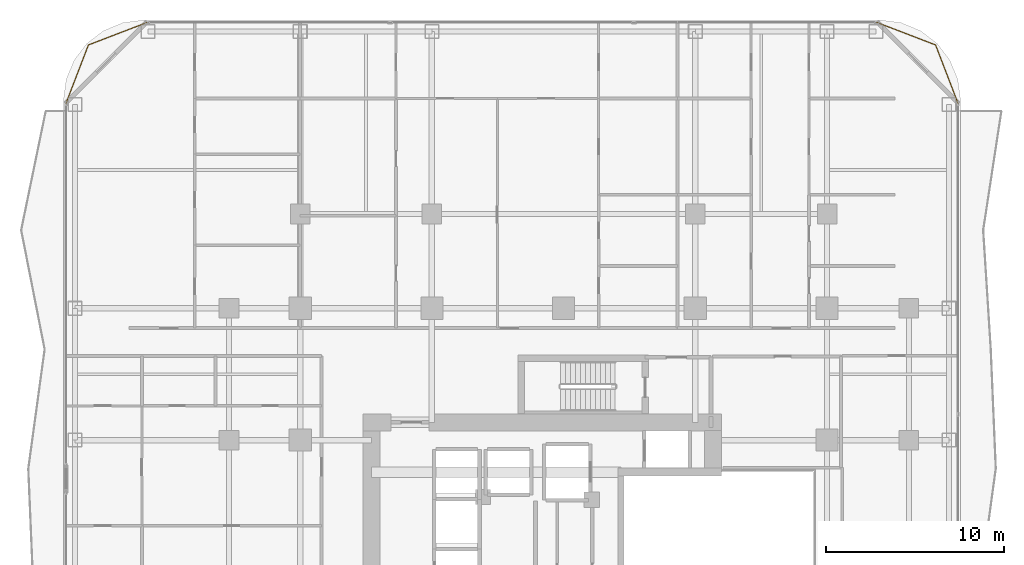
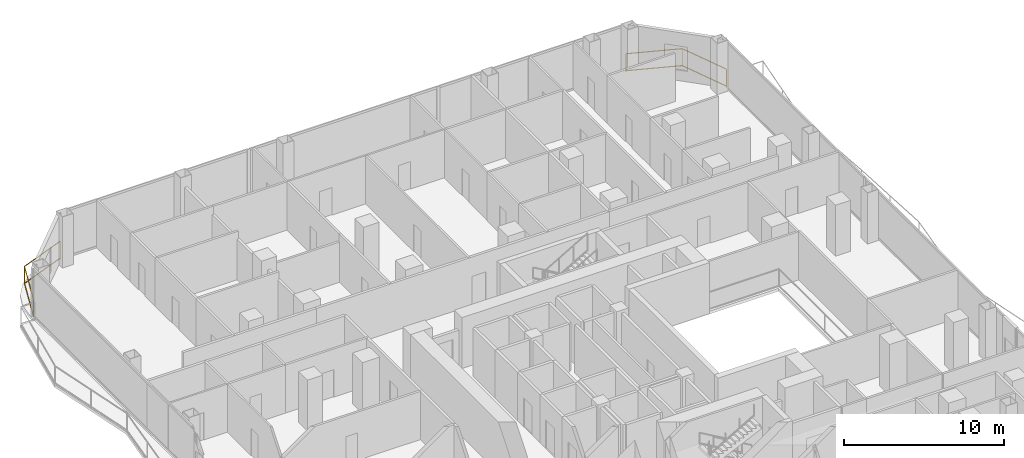
# One storey, part 27 of 27: 2 railings.
"""IFC4 building model written with IfcOpenShell, lengths in metres."""

from ifc_helpers import new_model, si_unit, direction, frame, origin, origin_2d, place, context, subcontext, project, spatial, rectangle, extrude, material, type_object, element, save


model = new_model("IFC4")

# Units and contexts
model_context = context("Model", 3, precision=1e-05, world=origin(), true_north=direction((0.0, 1.0)))
body_context = subcontext(model_context, "Body", "Model", "MODEL_VIEW")
ifc_project = project(units=[si_unit("LENGTHUNIT", "METRE"), si_unit("AREAUNIT", "SQUARE_METRE"), si_unit("VOLUMEUNIT", "CUBIC_METRE"), si_unit("PLANEANGLEUNIT", "RADIAN"), si_unit("MASSUNIT", "GRAM", prefix="KILO")], contexts=[model_context])

# Site, building, storey
site_placement = place(None, origin())
site = spatial("IfcSite", under=ifc_project, at=site_placement, CompositionType="ELEMENT")
building_placement = place(site_placement, origin())
building = spatial("IfcBuilding", under=site, at=building_placement, Name="Khorvyn Point Tower", CompositionType="ELEMENT")
storey_placement = place(building_placement, frame((0.0, 0.0, 96.89990234375)))
storey = spatial("IfcBuildingStorey", under=building, at=storey_placement, Name="L24", CompositionType="ELEMENT", Elevation=96.89990234375)

# Railings
ifc_material = material(Name="Anodised aluminium 6063-T6 and laminated safety glass", Category="aluminium")
railing_type = type_object("IfcRailingType", Name="Laminated Glass and Aluminium Balcony Guardrail 1400", PredefinedType="BALUSTRADE", material=ifc_material)
railing_1_placement = place(storey_placement, frame((-23.370849609375, 30.8740234375, 0.0)))
element("IfcRailing", 1, at=railing_1_placement, inside=storey, type_object=railing_type, Name="L24 Rounded Corner Edge Guardrail NW", PredefinedType="BALUSTRADE", context=body_context, shape_type="SweptSolid", body=[
    extrude(rectangle(XDim=0.048095703125, YDim=0.048095703125, at=origin_2d()), frame((0.0, 0.0, 1.3759765625), z_axis=(-0.933575007025, -0.358382067435, 0.0), x_axis=(0.358382067435, -0.933575007025, 0.0)), (0.0, 0.0, 1.0), 3.562744140625),
    extrude(rectangle(XDim=0.048095703125, YDim=0.048095703125, at=origin_2d()), frame((0.0, 0.0, 0.080078125), z_axis=(-0.933575007025, -0.358382067435, 0.0), x_axis=(0.358382067435, -0.933575007025, 0.0)), (0.0, 0.0, 1.0), 3.562744140625),
    extrude(rectangle(XDim=0.048095703125, YDim=0.048095703125, at=origin_2d()), frame((-3.326171875, -1.27685546875, 1.3759765625), z_axis=(-0.35841886047, -0.933560882031, 0.0), x_axis=(0.933560882031, -0.35841886047, 0.0)), (0.0, 0.0, 1.0), 3.563232421875),
    extrude(rectangle(XDim=0.048095703125, YDim=0.048095703125, at=origin_2d()), frame((-3.326171875, -1.27685546875, 0.080078125), z_axis=(-0.35841886047, -0.933560882031, 0.0), x_axis=(0.933560882031, -0.35841886047, 0.0)), (0.0, 0.0, 1.0), 3.563232421875),
    extrude(rectangle(XDim=0.0419921875, YDim=0.0419921875, at=origin_2d()), origin(), (0.0, 0.0, 1.0), 1.351806640625),
    extrude(rectangle(XDim=0.0419921875, YDim=0.0419921875, at=origin_2d()), frame((-3.326171875, -1.27685546875, 0.0)), (0.0, 0.0, 1.0), 1.351806640625),
    extrude(rectangle(XDim=0.0419921875, YDim=0.0419921875, at=origin_2d()), frame((-4.603271484375, -4.603271484375, 0.0)), (0.0, 0.0, 1.0), 1.351806640625),
])
railing_2_placement = place(storey_placement, frame((22.174072265625, 26.270751953125, 0.0)))
element("IfcRailing", 2, at=railing_2_placement, inside=storey, type_object=railing_type, Name="L24 Rounded Corner Edge Guardrail NE", PredefinedType="BALUSTRADE", context=body_context, shape_type="SweptSolid", body=[
    extrude(rectangle(XDim=0.048095703125, YDim=0.048095703125, at=origin_2d()), frame((0.0, 0.0, 1.3759765625), z_axis=(-0.358359142172, 0.933583807283, 0.0), x_axis=(-0.933583807283, -0.358359142172, 0.0)), (0.0, 0.0, 1.0), 3.56298828125),
    extrude(rectangle(XDim=0.048095703125, YDim=0.048095703125, at=origin_2d()), frame((0.0, 0.0, 0.080078125), z_axis=(-0.358359142172, 0.933583807283, 0.0), x_axis=(-0.933583807283, -0.358359142172, 0.0)), (0.0, 0.0, 1.0), 3.56298828125),
    extrude(rectangle(XDim=0.048095703125, YDim=0.048095703125, at=origin_2d()), frame((-1.27685546875, 3.326416015625, 1.3759765625), z_axis=(-0.933583807283, 0.358359142172, 0.0), x_axis=(-0.358359142172, -0.933583807283, 0.0)), (0.0, 0.0, 1.0), 3.56298828125),
    extrude(rectangle(XDim=0.048095703125, YDim=0.048095703125, at=origin_2d()), frame((-1.27685546875, 3.326416015625, 0.080078125), z_axis=(-0.933583807283, 0.358359142172, 0.0), x_axis=(-0.358359142172, -0.933583807283, 0.0)), (0.0, 0.0, 1.0), 3.56298828125),
    extrude(rectangle(XDim=0.0419921875, YDim=0.0419921875, at=origin_2d()), origin(), (0.0, 0.0, 1.0), 1.351806640625),
    extrude(rectangle(XDim=0.0419921875, YDim=0.0419921875, at=origin_2d()), frame((-1.27685546875, 3.326416015625, 0.0)), (0.0, 0.0, 1.0), 1.351806640625),
    extrude(rectangle(XDim=0.0419921875, YDim=0.0419921875, at=origin_2d()), frame((-4.603271484375, 4.603271484375, 0.0)), (0.0, 0.0, 1.0), 1.351806640625),
])

save(model, "model.ifc")
